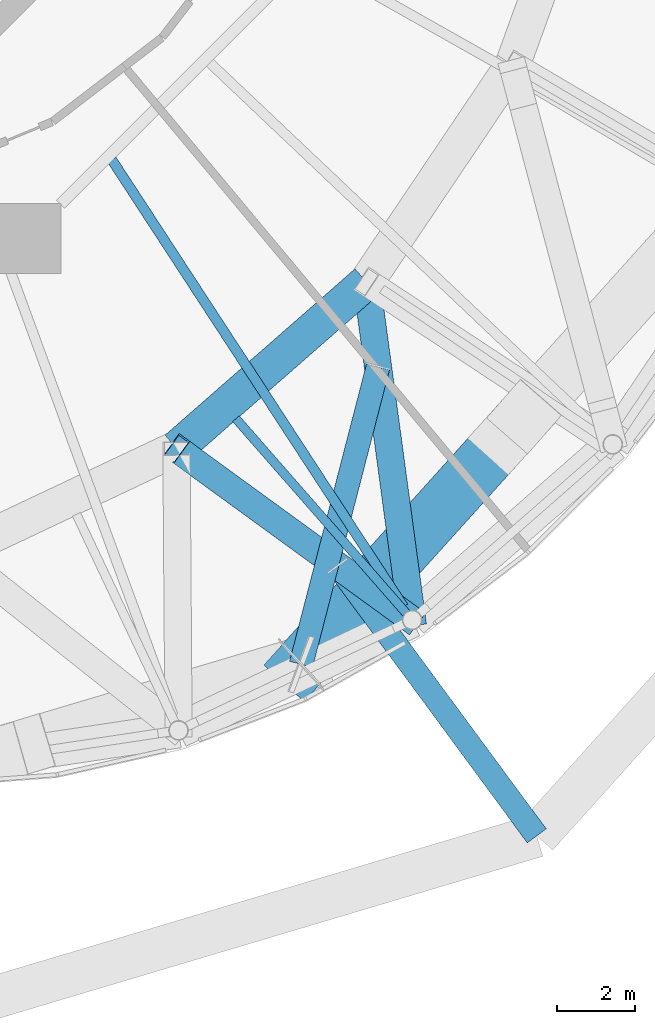
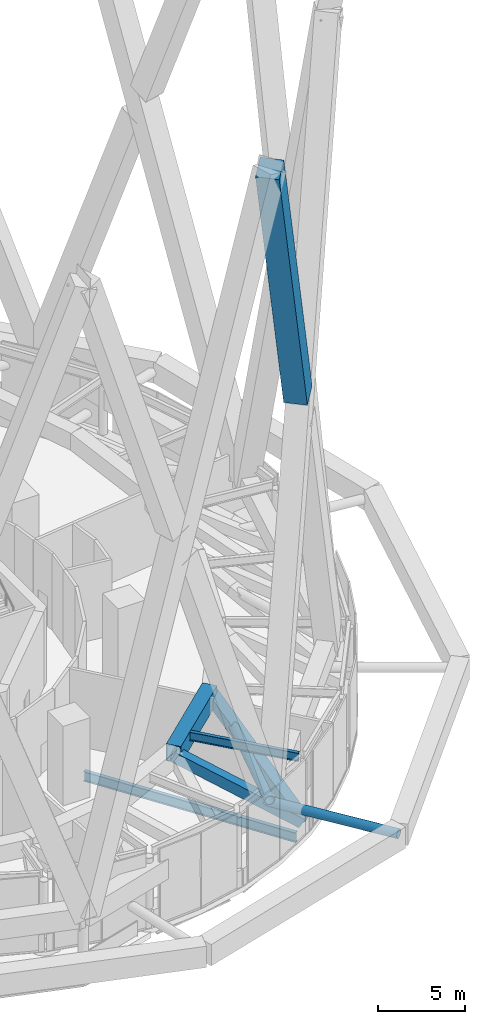
# One storey, part 17 of 60: 5 beams, 3 members.
"""IFC4 building model written with IfcOpenShell, lengths in metres."""

import ifcopenshell
import ifcopenshell.guid

model = None  # the IFC model being written
_history = None  # IfcOwnerHistory: only IFC2X3 demands one
_inside = {}  # id of a spatial element -> (the spatial element, [elements in it])
_under = {}  # id of a project, library or spatial element -> (it, [spatial elements below it])
_declared = {}  # id of a project -> (the project, [libraries it declares])
_typed = {}  # id of a type object -> (the type object, [elements of that type])
_made_of = {}  # id of a material, layer set ... -> (it, [elements and type objects made of it])


def new_model(schema):
    """Start an empty IFC model of exactly this schema.

    Asked for "IFC4X3", IfcOpenShell would pick the latest addendum, in which some entities
    have other attributes; the version numbers below select the first issue.
    IFC2X3 requires an IfcOwnerHistory on every rooted entity: one is made here for all.
    """
    global model, _history
    if schema == "IFC4X3":
        model = ifcopenshell.file(schema_version=(4, 3, 0, 0))
    else:
        model = ifcopenshell.file(schema=schema)
    _inside.clear()
    _under.clear()
    _declared.clear()
    _typed.clear()
    _made_of.clear()
    _history = None
    if model.schema == "IFC2X3":
        org = make("IfcOrganization", Name="unknown")
        user = make(
            "IfcPersonAndOrganization",
            ThePerson=make("IfcPerson", FamilyName="unknown"),
            TheOrganization=org,
        )
        app = make(
            "IfcApplication",
            ApplicationDeveloper=org,
            Version="unknown",
            ApplicationFullName="unknown",
            ApplicationIdentifier="unknown",
        )
        _history = make(
            "IfcOwnerHistory",
            OwningUser=user,
            OwningApplication=app,
            ChangeAction="ADDED",
            CreationDate=0,
        )
    return model


def make(cls, **values):
    """One entity of the class cls with the attributes given. An attribute that is None is left unset."""
    return model.create_entity(
        cls, **{name: value for name, value in values.items() if value is not None}
    )


def rooted(cls, **values):
    """An entity with a GlobalId (a new one), such as an element, a storey or a relation."""
    return make(cls, GlobalId=ifcopenshell.guid.new(), OwnerHistory=_history, **values)


def si_unit(unit_type, name, prefix=None):
    """IfcSIUnit, for example si_unit("LENGTHUNIT", "METRE", prefix="MILLI")."""
    return make("IfcSIUnit", UnitType=unit_type, Prefix=prefix, Name=name)


def assignment(units):
    """IfcUnitAssignment: the units of a project."""
    return None if units is None else make("IfcUnitAssignment", Units=units)


def point(xyz):
    """IfcCartesianPoint."""
    return None if xyz is None else make("IfcCartesianPoint", Coordinates=xyz)


def direction(xyz):
    """IfcDirection."""
    return None if xyz is None else make("IfcDirection", DirectionRatios=xyz)


def frame(location, z_axis=None, x_axis=None):
    """IfcAxis2Placement3D, a coordinate frame: its origin and axes. An axis left out is left unset."""
    return make(
        "IfcAxis2Placement3D",
        Location=point(location),
        Axis=direction(z_axis),
        RefDirection=direction(x_axis),
    )


def frame_2d(location, x_axis=None):
    """IfcAxis2Placement2D, a coordinate frame in the plane: its origin and x axis."""
    return make(
        "IfcAxis2Placement2D", Location=point(location), RefDirection=direction(x_axis)
    )


def origin():
    """The frame at (0, 0, 0) with its axes left unset."""
    return frame((0.0, 0.0, 0.0))


def origin_2d():
    """The frame at (0, 0) in the plane with its x axis left unset."""
    return frame_2d((0.0, 0.0))


def place(relative_to, where):
    """IfcLocalPlacement: puts the frame where relative to a parent placement (None: the world)."""
    return make(
        "IfcLocalPlacement", PlacementRelTo=relative_to, RelativePlacement=where
    )


def context(
    kind, dimensions, precision=None, world=None, true_north=None, identifier=None
):
    """IfcGeometricRepresentationContext, for example the 3D "Model" context."""
    return make(
        "IfcGeometricRepresentationContext",
        ContextIdentifier=identifier,
        ContextType=kind,
        CoordinateSpaceDimension=dimensions,
        Precision=precision,
        WorldCoordinateSystem=world,
        TrueNorth=true_north,
    )


def subcontext(parent, identifier, kind, view, scale=None):
    """IfcGeometricRepresentationSubContext, for example "Body" below "Model"."""
    return make(
        "IfcGeometricRepresentationSubContext",
        ContextIdentifier=identifier,
        ContextType=kind,
        ParentContext=parent,
        TargetScale=scale,
        TargetView=view,
    )


def project(units=None, contexts=None):
    """IfcProject with its units and contexts."""
    return rooted(
        "IfcProject",
        Name="project",
        RepresentationContexts=contexts,
        UnitsInContext=assignment(units),
    )


def spatial(cls, under=None, at=None, **own):
    """A site, building, storey or space (cls), placed at a placement, below another one or the project."""
    s = rooted(cls, ObjectPlacement=at, **own)
    if under is not None:
        _under.setdefault(under.id(), (under, []))[1].append(s)
    return s


def profile(cls, at=None, kind="AREA", **sizes):
    """A parametric profile (cls). Its sizes go by their IFC names, for example OverallWidth=200.0."""
    return make(cls, ProfileType=kind, Position=at, **sizes)


def rectangle(**sizes):
    """IfcRectangleProfileDef."""
    return profile("IfcRectangleProfileDef", **sizes)


def hollow_rectangle(**sizes):
    """IfcRectangleHollowProfileDef."""
    return profile("IfcRectangleHollowProfileDef", **sizes)


def hollow_circle(**sizes):
    """IfcCircleHollowProfileDef."""
    return profile("IfcCircleHollowProfileDef", **sizes)


def i_section(**sizes):
    """IfcIShapeProfileDef."""
    return profile("IfcIShapeProfileDef", **sizes)


def extrude(swept, where, along, depth):
    """IfcExtrudedAreaSolid: the profile swept, set in the frame where, extruded along a direction by depth."""
    return make(
        "IfcExtrudedAreaSolid",
        SweptArea=swept,
        Position=where,
        ExtrudedDirection=direction(along),
        Depth=depth,
    )


def shape(context_of_items, identifier, shape_type, items):
    """IfcShapeRepresentation: the items that make up one representation, for example the "Body"."""
    return make(
        "IfcShapeRepresentation",
        ContextOfItems=context_of_items,
        RepresentationIdentifier=identifier,
        RepresentationType=shape_type,
        Items=items,
    )


def material(Name=None, Category=None):
    """IfcMaterial."""
    return make("IfcMaterial", Name=Name, Category=Category)


def material_profile(
    of_material, cross_section, Name=None, Category=None, Priority=None
):
    """IfcMaterialProfile: a cross section and its material."""
    return make(
        "IfcMaterialProfile",
        Name=Name,
        Material=of_material,
        Profile=cross_section,
        Priority=Priority,
        Category=Category,
    )


def profile_set(profiles, Name=None, composite=None):
    """IfcMaterialProfileSet."""
    return make(
        "IfcMaterialProfileSet",
        Name=Name,
        MaterialProfiles=profiles,
        CompositeProfile=composite,
    )


def made_of(thing, what):
    """Note that an element or type object is made of a material, layer set ...; save() writes the relation."""
    if what is not None:
        _made_of.setdefault(what.id(), (what, []))[1].append(thing)
    return thing


def type_object(cls, material=None, **own):
    """A type object (cls), such as IfcWallType, which elements share."""
    return made_of(rooted(cls, **own), material)


def element(
    cls,
    number,
    at=None,
    inside=None,
    cuts=None,
    type_object=None,
    material=None,
    context=None,
    identifier="Body",
    shape_type=None,
    held_by="IfcProductDefinitionShape",
    body=None,
    shapes=None,
    **own,
):
    """One element of the class cls, such as IfcWall. Its Tag is "e" and its number.

    at: its placement. inside: the storey or other place that contains it. cuts: it is an
    opening in that element (IfcRelVoidsElement). A single representation is given by context,
    identifier, shape_type and body (its items); several are given by shapes. held_by: the class
    of the entity that holds the representations. save() writes the other relations.
    """
    e = rooted(cls, Tag="e%d" % number, ObjectPlacement=at, **own)
    if body is not None:
        shapes = [shape(context, identifier, shape_type, body)]
    if shapes is not None:
        e.Representation = make(held_by, Representations=shapes)
    if inside is not None:
        _inside.setdefault(inside.id(), (inside, []))[1].append(e)
    if cuts is not None:
        rooted(
            "IfcRelVoidsElement", RelatingBuildingElement=cuts, RelatedOpeningElement=e
        )
    if type_object is not None:
        _typed.setdefault(type_object.id(), (type_object, []))[1].append(e)
    return made_of(e, material)


def aggregate(whole, parts):
    """IfcRelAggregates: a whole, such as a stair, and the parts it consists of."""
    return rooted("IfcRelAggregates", RelatingObject=whole, RelatedObjects=parts)


def save(model, path):
    """Write the relations noted so far, then the file.

    IfcRelAggregates (storeys below a building ...), IfcRelContainedInSpatialStructure (elements
    in a storey), IfcRelDefinesByType, IfcRelAssociatesMaterial and IfcRelDeclares: one each for
    every whole, place, type object, material and project.
    """
    for whole, parts in _under.values():
        aggregate(whole, parts)
    for where, things in _inside.values():
        rooted(
            "IfcRelContainedInSpatialStructure",
            RelatedElements=things,
            RelatingStructure=where,
        )
    for kind, things in _typed.values():
        rooted("IfcRelDefinesByType", RelatedObjects=things, RelatingType=kind)
    for what, things in _made_of.values():
        rooted("IfcRelAssociatesMaterial", RelatedObjects=things, RelatingMaterial=what)
    for by, libraries in _declared.values():
        rooted("IfcRelDeclares", RelatingContext=by, RelatedDefinitions=libraries)
    model.write(path)


model = new_model("IFC4")

# Units and contexts
model_context = context("Model", 3, precision=1e-05, world=origin(), true_north=direction((0.0, 1.0)))
body_context = subcontext(model_context, "Body", "Model", "MODEL_VIEW")
ifc_project = project(units=[si_unit("LENGTHUNIT", "METRE"), si_unit("AREAUNIT", "SQUARE_METRE"), si_unit("VOLUMEUNIT", "CUBIC_METRE"), si_unit("PLANEANGLEUNIT", "RADIAN"), si_unit("MASSUNIT", "GRAM", prefix="KILO")], contexts=[model_context])

# Site, building, storey
site_placement = place(None, origin())
site = spatial("IfcSite", under=ifc_project, at=site_placement, CompositionType="ELEMENT")
building_placement = place(site_placement, origin())
building = spatial("IfcBuilding", under=site, at=building_placement, Name="Nagisa Residences", CompositionType="ELEMENT")
storey_placement = place(building_placement, frame((0.0, 0.0, 206.60009765625)))
storey = spatial("IfcBuildingStorey", under=building, at=storey_placement, Name="L52", CompositionType="ELEMENT", Elevation=206.60009765625)

# Beams
ifc_material_1 = material(Name="Steel ASTM A572 Gr 50", Category="steel")
ifc_material_profile_1 = material_profile(ifc_material_1, hollow_rectangle(XDim=0.89990234375, YDim=1.199951171875, WallThickness=0.044921875, at=origin_2d()), Name="BX 900x1200x45")
ifc_profile_set_1 = profile_set([ifc_material_profile_1], Name="Steel ASTM A572 Gr 50")
beam_type_1 = type_object("IfcBeamType", Name="Belt chord 4 BX 900x1200x45", PredefinedType="BEAM", material=ifc_profile_set_1)
beam_1_placement = place(storey_placement, frame((9.985107421875, -20.169677734375, 4.739990234375), z_axis=(0.752422814139, 0.658680429923, 0.0), x_axis=(-0.658680429923, 0.752422814139, 0.0)))
element("IfcBeam", 1, at=beam_1_placement, inside=storey, type_object=beam_type_1, Name="beam:L52:bt4t21", PredefinedType="BEAM", context=body_context, shape_type="SweptSolid", body=[
    extrude(hollow_rectangle(XDim=0.89990234375, YDim=1.199951171875, WallThickness=0.044921875, at=origin_2d()), origin(), (0.0, 0.0, 1.0), 6.487548828125),
])
ifc_material_2 = material(Name="Steel ASTM A572 Gr 50", Category="steel")
ifc_material_profile_2 = material_profile(ifc_material_2, hollow_rectangle(XDim=0.699951171875, YDim=0.699951171875, WallThickness=0.0400390625, at=origin_2d()), Name="BX 700x700x40")
ifc_profile_set_2 = profile_set([ifc_material_profile_2], Name="Steel ASTM A572 Gr 50")
beam_type_2 = type_object("IfcBeamType", Name="Belt diagonal 4 BX 700x700x40", PredefinedType="BEAM", material=ifc_profile_set_2)
beam_2_placement = place(storey_placement, frame((16.03759765625, -24.573486328125, 0.599853515625), z_axis=(-0.707581988341, 0.514838606982, 0.484013366072), x_axis=(-0.588346229236, -0.808609123461, 0.0)))
element("IfcBeam", 2, at=beam_2_placement, inside=storey, type_object=beam_type_2, Name="beam:L52:bt4da21", PredefinedType="BEAM", context=body_context, shape_type="SweptSolid", body=[
    extrude(hollow_rectangle(XDim=0.699951171875, YDim=0.699951171875, WallThickness=0.0400390625, at=origin_2d()), origin(), (0.0, 0.0, 1.0), 8.5537109375),
])
beam_3_placement = place(storey_placement, frame((16.03759765625, -24.573486328125, 0.599853515625), z_axis=(-0.120921122659, 0.895905278384, 0.42747141923), x_axis=(-0.991014020371, -0.133758033137, 0.0)))
element("IfcBeam", 3, at=beam_3_placement, inside=storey, type_object=beam_type_2, Name="beam:L52:bt4db21", PredefinedType="BEAM", context=body_context, shape_type="SweptSolid", body=[
    extrude(hollow_rectangle(XDim=0.699951171875, YDim=0.699951171875, WallThickness=0.0400390625, at=origin_2d()), origin(), (0.0, 0.0, 1.0), 9.68505859375),
])

# Members
ifc_material_3 = material(Name="Concrete C80", Category="concrete")
ifc_material_profile_3 = material_profile(ifc_material_3, rectangle(XDim=1.39990234375, YDim=1.39990234375, at=origin_2d()), Name="C80 1400x1400")
ifc_profile_set_3 = profile_set([ifc_material_profile_3], Name="Concrete C80")
member_type_1 = type_object("IfcMemberType", Name="Cage diagonal 5 C80 1400x1400", PredefinedType="BRACE", material=ifc_profile_set_3)
member_1_placement = place(storey_placement, frame((18.425048828125, -19.891845703125, 26.943603515625), z_axis=(-0.231313191594, -0.256941611182, 0.938336408671), x_axis=(0.743199585943, -0.669069783696, 0.0)))
element("IfcMember", 4, at=member_1_placement, inside=storey, type_object=member_type_1, Name="mem:L52:cg5d022b", PredefinedType="BRACE", context=body_context, shape_type="SweptSolid", body=[
    extrude(rectangle(XDim=1.39990234375, YDim=1.39990234375, at=origin_2d()), origin(), (0.0, 0.0, 1.0), 22.6533203125),
])
ifc_material_4 = material(Name="Steel ASTM A572 Gr 65", Category="steel")
ifc_material_profile_4 = material_profile(ifc_material_4, hollow_circle(Radius=0.304931640625, WallThickness=0.02490234375, at=origin_2d()), Name="CHS 610x25")
ifc_profile_set_4 = profile_set([ifc_material_profile_4], Name="Steel ASTM A572 Gr 65")
member_type_2 = type_object("IfcMemberType", Name="Cage strut CHS 610x25", PredefinedType="STRUT", material=ifc_profile_set_4)
member_2_placement = place(storey_placement, frame((19.237548828125, -30.115966796875, 1.89990234375), z_axis=(-0.593028610198, 0.805181387941, 0.0), x_axis=(-0.805181387941, -0.593028610198, 0.0)))
element("IfcMember", 5, at=member_2_placement, inside=storey, type_object=member_type_2, Name="mem:L52:bt4st4a11", PredefinedType="STRUT", context=body_context, shape_type="SweptSolid", body=[
    extrude(hollow_circle(Radius=0.304931640625, WallThickness=0.02490234375, at=origin_2d()), origin(), (0.0, 0.0, 1.0), 8.600830078125),
])
member_3_placement = place(storey_placement, frame((13.18505859375, -25.71240234375, 3.699951171875), z_axis=(0.250465854917, 0.968125433774, 0.0), x_axis=(-0.968125433774, 0.250465854917, 0.0)))
element("IfcMember", 6, at=member_3_placement, inside=storey, type_object=member_type_2, Name="mem:L52:bt4st5b11", PredefinedType="STRUT", context=body_context, shape_type="SweptSolid", body=[
    extrude(hollow_circle(Radius=0.304931640625, WallThickness=0.02490234375, at=origin_2d()), origin(), (0.0, 0.0, 1.0), 7.8876953125),
])

# Beams
ifc_material_5 = material(Name="Steel ASTM A572 Gr 50", Category="steel")
ifc_material_profile_5 = material_profile(ifc_material_5, i_section(OverallWidth=0.22802734375, OverallDepth=0.60302734375, WebThickness=0.010498046875, FlangeThickness=0.014892578125, at=origin_2d()), Name="W610x101")
ifc_profile_set_5 = profile_set([ifc_material_profile_5], Name="Steel ASTM A572 Gr 50")
beam_type_3 = type_object("IfcBeamType", Name="Garden radial beam W610x101", PredefinedType="BEAM", material=ifc_profile_set_5)
beam_4_placement = place(storey_placement, frame((15.88330078125, -24.3974609375, 5.038330078125), z_axis=(-0.658681700817, 0.752421701581, 0.0), x_axis=(-0.752421701581, -0.658681700817, 0.0)))
element("IfcBeam", 7, at=beam_4_placement, inside=storey, type_object=beam_type_3, Name="beam:L52:bt4gr21", PredefinedType="BEAM", context=body_context, shape_type="SweptSolid", body=[
    extrude(i_section(OverallWidth=0.22802734375, OverallDepth=0.60302734375, WebThickness=0.010498046875, FlangeThickness=0.014892578125, at=origin_2d()), origin(), (0.0, 0.0, 1.0), 6.63623046875),
])
ifc_material_6 = material(Name="Steel ASTM A572 Gr 50", Category="steel")
ifc_material_profile_6 = material_profile(ifc_material_6, i_section(OverallWidth=0.25390625, OverallDepth=0.68408203125, WebThickness=0.012451171875, FlangeThickness=0.018798828125, at=origin_2d()), Name="W690x140")
ifc_profile_set_6 = profile_set([ifc_material_profile_6], Name="Steel ASTM A572 Gr 50")
beam_type_4 = type_object("IfcBeamType", Name="Radial beam W690x140", PredefinedType="BEAM", material=ifc_profile_set_6)
beam_5_placement = place(storey_placement, frame((15.816162109375, -24.234375, -0.692138671875), z_axis=(-0.546537831829, 0.837434414375, 0.0), x_axis=(-0.837434414375, -0.546537831829, 0.0)))
element("IfcBeam", 8, at=beam_5_placement, inside=storey, type_object=beam_type_4, Name="beam:L52:rb21", PredefinedType="BEAM", context=body_context, shape_type="SweptSolid", body=[
    extrude(i_section(OverallWidth=0.25390625, OverallDepth=0.68408203125, WebThickness=0.012451171875, FlangeThickness=0.018798828125, at=origin_2d()), origin(), (0.0, 0.0, 1.0), 13.704345703125),
])

save(model, "model.ifc")
